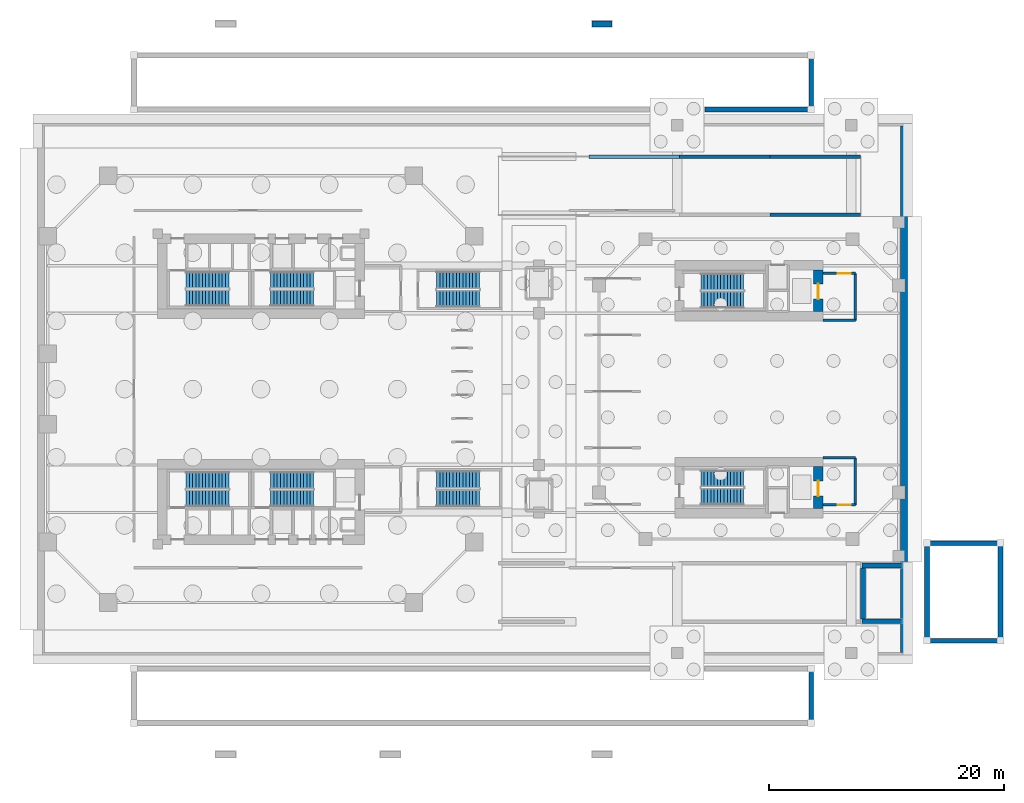
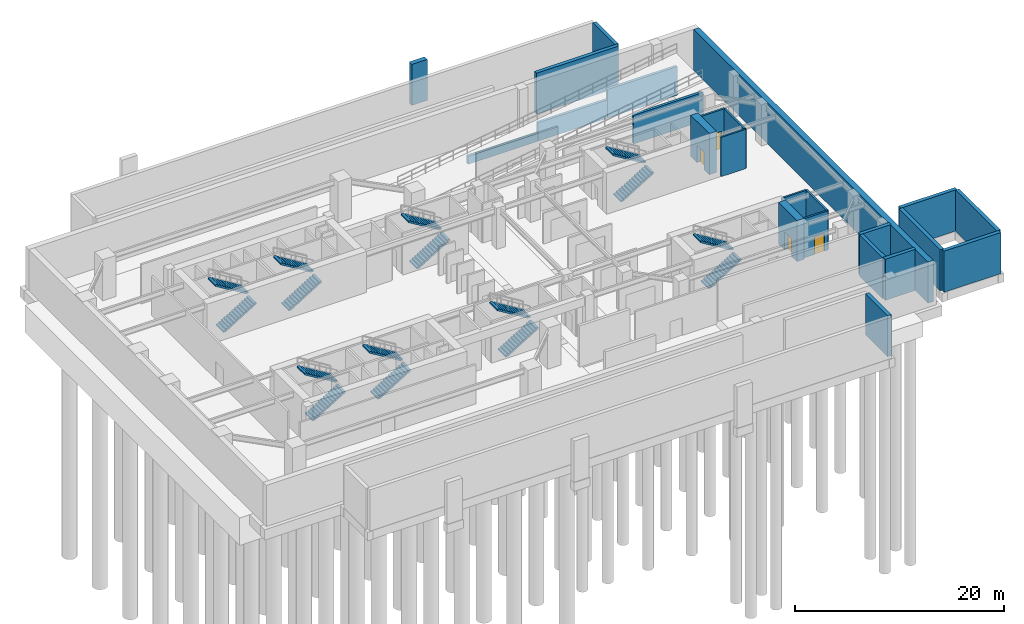
# One storey, part 8 of 13: 24 walls, 16 stair flights, 4 doors, 4 openings, 8 elements without a shape of their own.
"""IFC4 building model written with IfcOpenShell, lengths in metres."""

from ifc_helpers import new_model, si_unit, direction, frame, frame_2d, origin, place, context, subcontext, project, spatial, polyline, rectangle, outline, extrude, source, transform, mapped, material, layer, layer_set, type_object, element, fill, aggregate, save


model = new_model("IFC4")

# Units and contexts
model_context = context("Model", 3, precision=1e-05, world=origin(), true_north=direction((0.0, 1.0)))
body_context = subcontext(model_context, "Body", "Model", "MODEL_VIEW")
ifc_project = project(units=[si_unit("LENGTHUNIT", "METRE"), si_unit("AREAUNIT", "SQUARE_METRE"), si_unit("VOLUMEUNIT", "CUBIC_METRE"), si_unit("PLANEANGLEUNIT", "RADIAN"), si_unit("MASSUNIT", "GRAM", prefix="KILO"), si_unit("THERMODYNAMICTEMPERATUREUNIT", "KELVIN"), si_unit("POWERUNIT", "WATT")], contexts=[model_context])

# Site, building, storey
site_placement = place(None, origin())
site = spatial("IfcSite", under=ifc_project, at=site_placement, CompositionType="ELEMENT")
building_placement = place(site_placement, origin())
building = spatial("IfcBuilding", under=site, at=building_placement, Name="Qiaomeng Ring Towers", CompositionType="ELEMENT")
storey_placement = place(building_placement, frame((0.0, 0.0, -9.60009765625)))
storey = spatial("IfcBuildingStorey", under=building, at=storey_placement, Name="B2", CompositionType="ELEMENT", Elevation=-9.60009765625)

# Walls
ifc_material_1 = material(Name="Autoclaved aerated concrete block", Category="concrete")
ifc_layer_1 = layer(ifc_material_1, 0.199951171875, Name="Autoclaved aerated concrete block")
ifc_layer_set_1 = layer_set([ifc_layer_1], Name="Autoclaved aerated concrete block")
wall_type_1 = type_object("IfcWallType", Name="ARC-WL-PW1", PredefinedType="PARTITIONING", material=ifc_layer_set_1)
wall_1_placement = place(storey_placement, frame((66.800048828125, 28.85009765625, 0.0), z_axis=(0.0, 0.0, 1.0), x_axis=(1.0, 0.0, 0.0)))
element("IfcWall", 1, at=wall_1_placement, inside=storey, type_object=wall_type_1, Name="B2 Interior Wall PW1", PredefinedType="PARTITIONING", context=body_context, shape_type="SweptSolid", body=[
    extrude(rectangle(XDim=2.75, YDim=0.199951171875, at=frame_2d((1.375, 0.0))), origin(), (0.0, 0.0, 1.0), 4.580078125),
])
wall_2_placement = place(storey_placement, frame((69.550048828125, 28.85009765625, 0.0), z_axis=(0.0, 0.0, 1.0), x_axis=(0.0, 1.0, 0.0)))
element("IfcWall", 2, at=wall_2_placement, inside=storey, type_object=wall_type_1, Name="B2 Interior Wall PW1", PredefinedType="PARTITIONING", context=body_context, shape_type="SweptSolid", body=[
    extrude(rectangle(XDim=4.0, YDim=0.199951171875, at=frame_2d((2.0, 0.0))), origin(), (0.0, 0.0, 1.0), 4.580078125),
])

# Wall, opening, door
wall_3_placement = place(storey_placement, frame((66.800048828125, 32.85009765625, 0.0), z_axis=(0.0, 0.0, 1.0), x_axis=(1.0, 0.0, 0.0)))
wall_3 = element("IfcWall", 3, at=wall_3_placement, inside=storey, type_object=wall_type_1, Name="B2 Interior Wall PW1", PredefinedType="PARTITIONING", context=body_context, shape_type="SweptSolid", body=[
    extrude(rectangle(XDim=2.75, YDim=0.199951171875, at=frame_2d((1.375, 0.0))), origin(), (0.0, 0.0, 1.0), 4.580078125),
])
opening_1_placement = place(wall_3_placement, frame((1.25, 0.0, 0.0)))
opening_1 = element("IfcOpeningElement", 4, at=opening_1_placement, cuts=wall_3, Name="Opening FD3", PredefinedType="OPENING", context=body_context, shape_type="SweptSolid", body=[
    extrude(rectangle(XDim=1.10009765625, YDim=2.050048828125, at=frame_2d((0.550048828125, 1.02490234375))), frame((0.0, 0.10986328125, 0.0), z_axis=(0.0, -1.0, 0.0), x_axis=(1.0, 0.0, 0.0)), (0.0, 0.0, 1.0), 0.219970703125),
])
ifc_material_2 = material(Name="Galvanised steel", Category="steel")
door_type_1 = type_object("IfcDoorType", Name="ARC-DR-FD3", OperationType="NOTDEFINED", PredefinedType="DOOR", material=ifc_material_2)
shared_shape_1 = source(origin(), body_context, "Body", "SweptSolid", [
    extrude(rectangle(XDim=1.10009765625, YDim=2.050048828125, at=frame_2d((0.550048828125, 1.02490234375))), frame((0.0, 0.02490234375, 0.0), z_axis=(0.0, -1.0, 0.0), x_axis=(1.0, 0.0, 0.0)), (0.0, 0.0, 1.0), 0.050048828125),
])
door_1_placement = place(opening_1_placement, origin())
door_1 = element("IfcDoor", 5, at=door_1_placement, inside=storey, type_object=door_type_1, Name="B2 Door FD3", OperationType="SINGLE_SWING_RIGHT", OverallHeight=2.050048828125, OverallWidth=1.10009765625, PredefinedType="DOOR", context=body_context, shape_type="MappedRepresentation", body=[
    mapped(shared_shape_1, transform((0.0, 0.0, 0.0), x_axis=(1.0, 0.0, 0.0), y_axis=(0.0, 1.0, 0.0), z_axis=(0.0, 0.0, 1.0), scale=1.0)),
])
fill(opening_1, door_1)

# Walls
wall_4_placement = place(storey_placement, frame((66.800048828125, 17.14990234375, 0.0), z_axis=(0.0, 0.0, 1.0), x_axis=(1.0, 0.0, 0.0)))
element("IfcWall", 6, at=wall_4_placement, inside=storey, type_object=wall_type_1, Name="B2 Interior Wall PW1", PredefinedType="PARTITIONING", context=body_context, shape_type="SweptSolid", body=[
    extrude(rectangle(XDim=2.75, YDim=0.199951171875, at=frame_2d((1.375, 0.0))), origin(), (0.0, 0.0, 1.0), 4.580078125),
])
wall_5_placement = place(storey_placement, frame((69.550048828125, 13.14990234375, 0.0), z_axis=(0.0, 0.0, 1.0), x_axis=(0.0, 1.0, 0.0)))
element("IfcWall", 7, at=wall_5_placement, inside=storey, type_object=wall_type_1, Name="B2 Interior Wall PW1", PredefinedType="PARTITIONING", context=body_context, shape_type="SweptSolid", body=[
    extrude(rectangle(XDim=4.0, YDim=0.199951171875, at=frame_2d((2.0, 0.0))), origin(), (0.0, 0.0, 1.0), 4.580078125),
])

# Wall, opening, door
wall_6_placement = place(storey_placement, frame((66.800048828125, 13.14990234375, 0.0), z_axis=(0.0, 0.0, 1.0), x_axis=(1.0, 0.0, 0.0)))
wall_6 = element("IfcWall", 8, at=wall_6_placement, inside=storey, type_object=wall_type_1, Name="B2 Interior Wall PW1", PredefinedType="PARTITIONING", context=body_context, shape_type="SweptSolid", body=[
    extrude(rectangle(XDim=2.75, YDim=0.199951171875, at=frame_2d((1.375, 0.0))), origin(), (0.0, 0.0, 1.0), 4.580078125),
])
opening_2_placement = place(wall_6_placement, frame((1.25, 0.0, 0.0)))
opening_2 = element("IfcOpeningElement", 9, at=opening_2_placement, cuts=wall_6, Name="Opening FD3", PredefinedType="OPENING", context=body_context, shape_type="SweptSolid", body=[
    extrude(rectangle(XDim=1.10009765625, YDim=2.050048828125, at=frame_2d((0.550048828125, 1.02490234375))), frame((0.0, 0.10986328125, 0.0), z_axis=(0.0, -1.0, 0.0), x_axis=(1.0, 0.0, 0.0)), (0.0, 0.0, 1.0), 0.219970703125),
])
door_2_placement = place(opening_2_placement, origin())
door_2 = element("IfcDoor", 10, at=door_2_placement, inside=storey, type_object=door_type_1, Name="B2 Door FD3", OperationType="SINGLE_SWING_RIGHT", OverallHeight=2.050048828125, OverallWidth=1.10009765625, PredefinedType="DOOR", context=body_context, shape_type="MappedRepresentation", body=[
    mapped(shared_shape_1, transform((0.0, 0.0, 0.0), x_axis=(1.0, 0.0, 0.0), y_axis=(0.0, 1.0, 0.0), z_axis=(0.0, 0.0, 1.0), scale=1.0)),
])
fill(opening_2, door_2)

# Walls
ifc_material_3 = material(Name="Concrete C40", Category="concrete")
ifc_layer_2 = layer(ifc_material_3, 0.60009765625, Name="Concrete C40")
ifc_layer_set_2 = layer_set([ifc_layer_2], Name="Concrete C40")
wall_type_2 = type_object("IfcWallType", Name="STR-WL-BW1", PredefinedType="SOLIDWALL", material=ifc_layer_set_2)
wall_7_placement = place(storey_placement, frame((73.699951171875, 0.60009765625, 0.0), z_axis=(0.0, 0.0, 1.0), x_axis=(0.0, 1.0, 0.0)))
element("IfcWall", 11, at=wall_7_placement, inside=storey, type_object=wall_type_2, Name="B2 RET east core shear wall", PredefinedType="SOLIDWALL", context=body_context, shape_type="SweptSolid", body=[
    extrude(rectangle(XDim=44.7998046875, YDim=0.60009765625, at=frame_2d((22.39990234375, 0.0))), origin(), (0.0, 0.0, 1.0), 4.800048828125),
])
ifc_layer_3 = layer(ifc_material_3, 0.39990234375, Name="Concrete C40")
ifc_layer_set_3 = layer_set([ifc_layer_3], Name="Concrete C40")
wall_type_3 = type_object("IfcWallType", Name="STR-WL-BW2", PredefinedType="SOLIDWALL", material=ifc_layer_set_3)
wall_8_placement = place(storey_placement, frame((65.800048828125, -5.199951171875, 0.0), z_axis=(0.0, 0.0, 1.0), x_axis=(0.0, 1.0, 0.0)))
element("IfcWall", 12, at=wall_8_placement, inside=storey, type_object=wall_type_3, Name="B2 Apron Retaining Plinth Wall PLZ-S-E", PredefinedType="SOLIDWALL", context=body_context, shape_type="SweptSolid", body=[
    extrude(rectangle(XDim=4.219970703125, YDim=0.39990234375, at=frame_2d((2.10986328125, 0.0))), origin(), (0.0, 0.0, 1.0), 4.800048828125),
])
wall_9_placement = place(storey_placement, frame((56.75, 46.780029296875, 0.0), z_axis=(0.0, 0.0, 1.0), x_axis=(1.0, 0.0, 0.0)))
element("IfcWall", 13, at=wall_9_placement, inside=storey, type_object=wall_type_3, Name="B2 Apron Retaining Plinth Wall PLZ-N-S2", PredefinedType="SOLIDWALL", context=body_context, shape_type="SweptSolid", body=[
    extrude(rectangle(XDim=9.050048828125, YDim=0.39990234375, at=frame_2d((4.52490234375, 0.0))), origin(), (0.0, 0.0, 1.0), 4.800048828125),
])
wall_10_placement = place(storey_placement, frame((65.800048828125, 46.97998046875, 0.0), z_axis=(0.0, 0.0, 1.0), x_axis=(0.0, 1.0, 0.0)))
element("IfcWall", 14, at=wall_10_placement, inside=storey, type_object=wall_type_3, Name="B2 Apron Retaining Plinth Wall PLZ-N-E", PredefinedType="SOLIDWALL", context=body_context, shape_type="SweptSolid", body=[
    extrude(rectangle(XDim=4.219970703125, YDim=0.39990234375, at=frame_2d((2.10986328125, 0.0))), origin(), (0.0, 0.0, 1.0), 4.800048828125),
])
for number, where, z_axis, x_axis, name in (
    (15, (75.64990234375, 1.60009765625, 0.0), (0.0, 0.0, 1.0), (1.0, 0.0, 0.0), "B2 Apron Retaining Plinth Wall DRV-E-S"),
    (16, (75.64990234375, 9.89990234375, 0.0), (0.0, 0.0, 1.0), (1.0, 0.0, 0.0), "B2 Apron Retaining Plinth Wall DRV-E-N"),
):
    element("IfcWall", number, at=place(storey_placement, frame(where, z_axis=z_axis, x_axis=x_axis)), inside=storey, type_object=wall_type_3, Name=name, PredefinedType="SOLIDWALL", context=body_context, shape_type="SweptSolid", body=[
        extrude(rectangle(XDim=6.25, YDim=0.39990234375, at=frame_2d((3.125, 0.0))), origin(), (0.0, 0.0, 1.0), 4.800048828125),
    ])
for number, where, z_axis, x_axis, name in (
    (17, (75.64990234375, 1.800048828125, 0.0), (0.0, 0.0, 1.0), (0.0, 1.0, 0.0), "B2 Apron Retaining Plinth Wall DRV-E-W"),
    (18, (81.89990234375, 1.800048828125, 0.0), (0.0, 0.0, 1.0), (0.0, 1.0, 0.0), "B2 Apron Retaining Plinth Wall DRV-E-E"),
):
    element("IfcWall", number, at=place(storey_placement, frame(where, z_axis=z_axis, x_axis=x_axis)), inside=storey, type_object=wall_type_3, Name=name, PredefinedType="SOLIDWALL", context=body_context, shape_type="SweptSolid", body=[
        extrude(rectangle(XDim=7.89990234375, YDim=0.39990234375, at=frame_2d((3.949951171875, 0.0))), origin(), (0.0, 0.0, 1.0), 4.800048828125),
    ])
for number, where, z_axis, x_axis, name in (
    (19, (70.10009765625, 3.25, 0.0), (0.0, 0.0, 1.0), (1.0, 0.0, 0.0), "B2 Ramp R1 Landing Support Wall S"),
    (20, (70.10009765625, 8.0, 0.0), (0.0, 0.0, 1.0), (1.0, 0.0, 0.0), "B2 Ramp R1 Landing Support Wall N"),
):
    element("IfcWall", number, at=place(storey_placement, frame(where, z_axis=z_axis, x_axis=x_axis)), inside=storey, type_object=wall_type_3, Name=name, PredefinedType="SOLIDWALL", context=body_context, shape_type="SweptSolid", body=[
        extrude(rectangle(XDim=3.39990234375, YDim=0.39990234375, at=frame_2d((1.699951171875, 0.0))), origin(), (0.0, 0.0, 1.0), 4.800048828125),
    ])
wall_11_placement = place(storey_placement, frame((70.199951171875, 3.449951171875, 0.0), z_axis=(0.0, 0.0, 1.0), x_axis=(0.0, 1.0, 0.0)))
element("IfcWall", 21, at=wall_11_placement, inside=storey, type_object=wall_type_3, Name="B2 Ramp R1 Landing Support Wall W", PredefinedType="SOLIDWALL", context=body_context, shape_type="SweptSolid", body=[
    extrude(rectangle(XDim=4.35009765625, YDim=0.39990234375, at=frame_2d((2.175048828125, 0.0))), origin(), (0.0, 0.0, 1.0), 4.800048828125),
])
wall_12_placement = place(storey_placement, frame((62.300048828125, 37.820068359375, 0.0), z_axis=(0.0, 0.0, 1.0), x_axis=(1.0, 0.0, 0.0)))
element("IfcWall", 22, at=wall_12_placement, inside=storey, type_object=wall_type_3, Name="B2 Vehicle Ramp R2 Stepped Support Wall S4", PredefinedType="SOLIDWALL", context=body_context, shape_type="SweptSolid", body=[
    extrude(rectangle(XDim=7.699951171875, YDim=0.300048828125, at=frame_2d((3.85009765625, 0.0))), origin(), (0.0, 0.0, 1.0), 3.340087890625),
])
wall_13_placement = place(storey_placement, frame((46.89990234375, 42.780029296875, 0.0), z_axis=(0.0, 0.0, 1.0), x_axis=(1.0, 0.0, 0.0)))
element("IfcWall", 23, at=wall_13_placement, inside=storey, type_object=wall_type_3, Name="B2 Vehicle Ramp R2 Stepped Support Wall N2", PredefinedType="SOLIDWALL", context=body_context, shape_type="SweptSolid", body=[
    extrude(rectangle(XDim=7.7001953125, YDim=0.300048828125, at=frame_2d((3.85009765625, 0.0))), origin(), (0.0, 0.0, 1.0), 0.940185546875),
])
wall_14_placement = place(storey_placement, frame((54.60009765625, 42.780029296875, 0.0), z_axis=(0.0, 0.0, 1.0), x_axis=(1.0, 0.0, 0.0)))
element("IfcWall", 24, at=wall_14_placement, inside=storey, type_object=wall_type_3, Name="B2 Vehicle Ramp R2 Stepped Support Wall N3", PredefinedType="SOLIDWALL", context=body_context, shape_type="SweptSolid", body=[
    extrude(rectangle(XDim=7.699951171875, YDim=0.300048828125, at=frame_2d((3.85009765625, 0.0))), origin(), (0.0, 0.0, 1.0), 2.14013671875),
])
wall_15_placement = place(storey_placement, frame((62.300048828125, 42.780029296875, 0.0), z_axis=(0.0, 0.0, 1.0), x_axis=(1.0, 0.0, 0.0)))
element("IfcWall", 25, at=wall_15_placement, inside=storey, type_object=wall_type_3, Name="B2 Vehicle Ramp R2 Stepped Support Wall N4", PredefinedType="SOLIDWALL", context=body_context, shape_type="SweptSolid", body=[
    extrude(rectangle(XDim=7.699951171875, YDim=0.300048828125, at=frame_2d((3.85009765625, 0.0))), origin(), (0.0, 0.0, 1.0), 3.340087890625),
])
wall_16_placement = place(storey_placement, frame((47.14990234375, 54.072998046875, 0.0), z_axis=(0.0, 0.0, 1.0), x_axis=(1.0, 0.0, 0.0)))
element("IfcWall", 26, at=wall_16_placement, inside=storey, type_object=wall_type_3, Name="B2 AR4 Kerb Plinth", PredefinedType="SOLIDWALL", context=body_context, shape_type="SweptSolid", body=[
    extrude(rectangle(XDim=1.7001953125, YDim=0.5, at=frame_2d((0.85009765625, 0.0))), origin(), (0.0, 0.0, 1.0), 4.800048828125),
])

# Wall, opening, door
ifc_material_4 = material(Name="Concrete C60", Category="concrete")
ifc_layer_4 = layer(ifc_material_4, 0.800048828125, Name="Concrete C60")
ifc_layer_set_4 = layer_set([ifc_layer_4], Name="Concrete C60")
wall_type_4 = type_object("IfcWallType", Name="STR-WL-SW1", PredefinedType="SHEAR", material=ifc_layer_set_4)
wall_17_placement = place(storey_placement, frame((66.39990234375, 29.60009765625, 0.0), z_axis=(0.0, 0.0, 1.0), x_axis=(0.0, 1.0, 0.0)))
wall_17 = element("IfcWall", 27, at=wall_17_placement, inside=storey, type_object=wall_type_4, Name="B2 T2NC east core shear wall", PredefinedType="SHEAR", context=body_context, shape_type="SweptSolid", body=[
    extrude(rectangle(XDim=3.5498046875, YDim=0.800048828125, at=frame_2d((1.77490234375, 0.0))), origin(), (0.0, 0.0, 1.0), 4.800048828125),
])
opening_3_placement = place(wall_17_placement, frame((1.050048828125, 0.0, 0.0)))
opening_3 = element("IfcOpeningElement", 28, at=opening_3_placement, cuts=wall_17, Name="Opening LD2", PredefinedType="OPENING", context=body_context, shape_type="SweptSolid", body=[
    extrude(rectangle(XDim=1.300048828125, YDim=2.050048828125, at=frame_2d((0.64990234375, 1.02490234375))), frame((0.0, 0.409912109375, 0.0), z_axis=(0.0, -1.0, 0.0), x_axis=(1.0, 0.0, 0.0)), (0.0, 0.0, 1.0), 0.820068359375),
])
ifc_material_5 = material(Name="Stainless steel 316", Category="steel")
door_type_2 = type_object("IfcDoorType", Name="ARC-DR-LD2", OperationType="NOTDEFINED", PredefinedType="DOOR", material=ifc_material_5)
shared_shape_2 = source(origin(), body_context, "Body", "SweptSolid", [
    extrude(rectangle(XDim=1.300048828125, YDim=2.050048828125, at=frame_2d((0.64990234375, 1.02490234375))), frame((0.0, 0.02490234375, 0.0), z_axis=(0.0, -1.0, 0.0), x_axis=(1.0, 0.0, 0.0)), (0.0, 0.0, 1.0), 0.050048828125),
])
door_3_placement = place(opening_3_placement, origin())
door_3 = element("IfcDoor", 29, at=door_3_placement, inside=storey, type_object=door_type_2, Name="B2 Firefighting Lift FL3 Landing Door", OperationType="SLIDING_TO_LEFT", OverallHeight=2.050048828125, OverallWidth=1.300048828125, PredefinedType="DOOR", context=body_context, shape_type="MappedRepresentation", body=[
    mapped(shared_shape_2, transform((0.0, 0.0, 0.0), x_axis=(1.0, 0.0, 0.0), y_axis=(0.0, 1.0, 0.0), z_axis=(0.0, 0.0, 1.0), scale=1.0)),
])
fill(opening_3, door_3)

wall_18_placement = place(storey_placement, frame((66.39990234375, 12.85009765625, 0.0), z_axis=(0.0, 0.0, 1.0), x_axis=(0.0, 1.0, 0.0)))
wall_18 = element("IfcWall", 30, at=wall_18_placement, inside=storey, type_object=wall_type_4, Name="B2 T2SC east core shear wall", PredefinedType="SHEAR", context=body_context, shape_type="SweptSolid", body=[
    extrude(rectangle(XDim=3.5498046875, YDim=0.800048828125, at=frame_2d((1.77490234375, 0.0))), origin(), (0.0, 0.0, 1.0), 4.800048828125),
])
opening_4_placement = place(wall_18_placement, frame((1.050048828125, 0.0, 0.0)))
opening_4 = element("IfcOpeningElement", 31, at=opening_4_placement, cuts=wall_18, Name="Opening LD2", PredefinedType="OPENING", context=body_context, shape_type="SweptSolid", body=[
    extrude(rectangle(XDim=1.300048828125, YDim=2.050048828125, at=frame_2d((0.64990234375, 1.02490234375))), frame((0.0, 0.409912109375, 0.0), z_axis=(0.0, -1.0, 0.0), x_axis=(1.0, 0.0, 0.0)), (0.0, 0.0, 1.0), 0.820068359375),
])
door_4_placement = place(opening_4_placement, origin())
door_4 = element("IfcDoor", 32, at=door_4_placement, inside=storey, type_object=door_type_2, Name="B2 Firefighting Lift FL4 Landing Door", OperationType="SLIDING_TO_RIGHT", OverallHeight=2.050048828125, OverallWidth=1.300048828125, PredefinedType="DOOR", context=body_context, shape_type="MappedRepresentation", body=[
    mapped(shared_shape_2, transform((0.0, 0.0, 0.0), x_axis=(1.0, 0.0, 0.0), y_axis=(0.0, 1.0, 0.0), z_axis=(0.0, 0.0, 1.0), scale=1.0)),
])
fill(opening_4, door_4)

# Stair, stair flights
ifc_material_6 = material(Name="Precast concrete C40", Category="concrete")
stair_type_1 = type_object("IfcStairType", Name="ARC-ST-480", PredefinedType="HALF_TURN_STAIR", material=ifc_material_6)
stair_1_placement = place(storey_placement, origin())
stair_1 = element("IfcStair", 33, at=stair_1_placement, inside=storey, type_object=stair_type_1, Name="B2 Tower 1 North Stair 1", PredefinedType="HALF_TURN_STAIR")
stair_flight_type_1 = type_object("IfcStairFlightType", Name="ARC-ST-480-FL", PredefinedType="STRAIGHT", material=ifc_material_6)
shared_shape_3 = source(origin(), body_context, "Body", "SweptSolid", [
    extrude(outline(polyline([(0.0, 0.0), (0.0, 0.17138671875), (0.280029296875, 0.17138671875), (0.280029296875, 0.3427734375), (0.56005859375, 0.3427734375), (0.56005859375, 0.514404296875), (0.840087890625, 0.514404296875), (0.840087890625, 0.685791015625), (1.1201171875, 0.685791015625), (1.1201171875, 0.857177734375), (1.39990234375, 0.857177734375), (1.39990234375, 1.028564453125), (1.679931640625, 1.028564453125), (1.679931640625, 1.199951171875), (1.9599609375, 1.199951171875), (1.9599609375, 1.371337890625), (2.239990234375, 1.371337890625), (2.239990234375, 1.54296875), (2.52001953125, 1.54296875), (2.52001953125, 1.71435546875), (2.800048828125, 1.71435546875), (2.800048828125, 1.8857421875), (3.080078125, 1.8857421875), (3.080078125, 2.05712890625), (3.360107421875, 2.05712890625), (3.360107421875, 2.228515625), (3.639892578125, 2.228515625), (3.639892578125, 2.39990234375), (3.639892578125, 2.052734375), (0.287109375, 0.0), (0.0, 0.0)])), frame((0.0, 0.699951171875, 0.0), z_axis=(0.0, -1.0, 0.0), x_axis=(1.0, 0.0, 0.0)), (0.0, 0.0, 1.0), 1.39990234375),
])
stair_flight_1_placement = place(storey_placement, frame((12.6201171875, 30.75, 0.0), z_axis=(0.0, 0.0, 1.0), x_axis=(1.0, 0.0, 0.0)))
stair_flight_1 = element("IfcStairFlight", 34, at=stair_flight_1_placement, type_object=stair_flight_type_1, Name="ST1 flight 1", NumberOfRisers=14, NumberOfTreads=13, PredefinedType="STRAIGHT", RiserHeight=0.171428571, TreadLength=0.28, context=body_context, shape_type="MappedRepresentation", body=[
    mapped(shared_shape_3, transform((0.0, 0.0, 0.0), x_axis=(1.0, 0.0, 0.0), y_axis=(0.0, 1.0, 0.0), z_axis=(0.0, 0.0, 1.0), scale=1.0)),
])
stair_flight_2_placement = place(storey_placement, frame((16.260009765625, 32.2900390625, 2.400146484375), z_axis=(0.0, 0.0, 1.0), x_axis=(-1.0, 0.0, 0.0)))
stair_flight_2 = element("IfcStairFlight", 35, at=stair_flight_2_placement, type_object=stair_flight_type_1, Name="ST1 flight 2", NumberOfRisers=14, NumberOfTreads=13, PredefinedType="STRAIGHT", RiserHeight=0.171428571, TreadLength=0.28, context=body_context, shape_type="MappedRepresentation", body=[
    mapped(shared_shape_3, transform((0.0, 0.0, 0.0), x_axis=(1.0, 0.0, 0.0), y_axis=(0.0, 1.0, 0.0), z_axis=(0.0, 0.0, 1.0), scale=1.0)),
])
aggregate(stair_1, [stair_flight_1, stair_flight_2])

stair_2_placement = place(storey_placement, origin())
stair_2 = element("IfcStair", 36, at=stair_2_placement, inside=storey, type_object=stair_type_1, Name="B2 Tower 1 North Stair 2", PredefinedType="HALF_TURN_STAIR")
stair_flight_3_placement = place(storey_placement, frame((19.820068359375, 30.75, 0.0), z_axis=(0.0, 0.0, 1.0), x_axis=(1.0, 0.0, 0.0)))
stair_flight_3 = element("IfcStairFlight", 37, at=stair_flight_3_placement, type_object=stair_flight_type_1, Name="ST2 flight 1", NumberOfRisers=14, NumberOfTreads=13, PredefinedType="STRAIGHT", RiserHeight=0.171428571, TreadLength=0.28, context=body_context, shape_type="MappedRepresentation", body=[
    mapped(shared_shape_3, transform((0.0, 0.0, 0.0), x_axis=(1.0, 0.0, 0.0), y_axis=(0.0, 1.0, 0.0), z_axis=(0.0, 0.0, 1.0), scale=1.0)),
])
stair_flight_4_placement = place(storey_placement, frame((23.4599609375, 32.2900390625, 2.400146484375), z_axis=(0.0, 0.0, 1.0), x_axis=(-1.0, 0.0, 0.0)))
stair_flight_4 = element("IfcStairFlight", 38, at=stair_flight_4_placement, type_object=stair_flight_type_1, Name="ST2 flight 2", NumberOfRisers=14, NumberOfTreads=13, PredefinedType="STRAIGHT", RiserHeight=0.171428571, TreadLength=0.28, context=body_context, shape_type="MappedRepresentation", body=[
    mapped(shared_shape_3, transform((0.0, 0.0, 0.0), x_axis=(1.0, 0.0, 0.0), y_axis=(0.0, 1.0, 0.0), z_axis=(0.0, 0.0, 1.0), scale=1.0)),
])
aggregate(stair_2, [stair_flight_3, stair_flight_4])

stair_3_placement = place(storey_placement, origin())
stair_3 = element("IfcStair", 39, at=stair_3_placement, inside=storey, type_object=stair_type_1, Name="B2 Tower 1 South Stair 3", PredefinedType="HALF_TURN_STAIR")
stair_flight_5_placement = place(storey_placement, frame((12.6201171875, 13.7099609375, 0.0), z_axis=(0.0, 0.0, 1.0), x_axis=(1.0, 0.0, 0.0)))
stair_flight_5 = element("IfcStairFlight", 40, at=stair_flight_5_placement, type_object=stair_flight_type_1, Name="ST3 flight 1", NumberOfRisers=14, NumberOfTreads=13, PredefinedType="STRAIGHT", RiserHeight=0.171428571, TreadLength=0.28, context=body_context, shape_type="MappedRepresentation", body=[
    mapped(shared_shape_3, transform((0.0, 0.0, 0.0), x_axis=(1.0, 0.0, 0.0), y_axis=(0.0, 1.0, 0.0), z_axis=(0.0, 0.0, 1.0), scale=1.0)),
])
stair_flight_6_placement = place(storey_placement, frame((16.260009765625, 15.25, 2.400146484375), z_axis=(0.0, 0.0, 1.0), x_axis=(-1.0, 0.0, 0.0)))
stair_flight_6 = element("IfcStairFlight", 41, at=stair_flight_6_placement, type_object=stair_flight_type_1, Name="ST3 flight 2", NumberOfRisers=14, NumberOfTreads=13, PredefinedType="STRAIGHT", RiserHeight=0.171428571, TreadLength=0.28, context=body_context, shape_type="MappedRepresentation", body=[
    mapped(shared_shape_3, transform((0.0, 0.0, 0.0), x_axis=(1.0, 0.0, 0.0), y_axis=(0.0, 1.0, 0.0), z_axis=(0.0, 0.0, 1.0), scale=1.0)),
])
aggregate(stair_3, [stair_flight_5, stair_flight_6])

stair_4_placement = place(storey_placement, origin())
stair_4 = element("IfcStair", 42, at=stair_4_placement, inside=storey, type_object=stair_type_1, Name="B2 Tower 1 South Stair 4", PredefinedType="HALF_TURN_STAIR")
stair_flight_7_placement = place(storey_placement, frame((19.820068359375, 13.7099609375, 0.0), z_axis=(0.0, 0.0, 1.0), x_axis=(1.0, 0.0, 0.0)))
stair_flight_7 = element("IfcStairFlight", 43, at=stair_flight_7_placement, type_object=stair_flight_type_1, Name="ST4 flight 1", NumberOfRisers=14, NumberOfTreads=13, PredefinedType="STRAIGHT", RiserHeight=0.171428571, TreadLength=0.28, context=body_context, shape_type="MappedRepresentation", body=[
    mapped(shared_shape_3, transform((0.0, 0.0, 0.0), x_axis=(1.0, 0.0, 0.0), y_axis=(0.0, 1.0, 0.0), z_axis=(0.0, 0.0, 1.0), scale=1.0)),
])
stair_flight_8_placement = place(storey_placement, frame((23.4599609375, 15.25, 2.400146484375), z_axis=(0.0, 0.0, 1.0), x_axis=(-1.0, 0.0, 0.0)))
stair_flight_8 = element("IfcStairFlight", 44, at=stair_flight_8_placement, type_object=stair_flight_type_1, Name="ST4 flight 2", NumberOfRisers=14, NumberOfTreads=13, PredefinedType="STRAIGHT", RiserHeight=0.171428571, TreadLength=0.28, context=body_context, shape_type="MappedRepresentation", body=[
    mapped(shared_shape_3, transform((0.0, 0.0, 0.0), x_axis=(1.0, 0.0, 0.0), y_axis=(0.0, 1.0, 0.0), z_axis=(0.0, 0.0, 1.0), scale=1.0)),
])
aggregate(stair_4, [stair_flight_7, stair_flight_8])

stair_5_placement = place(storey_placement, origin())
stair_5 = element("IfcStair", 45, at=stair_5_placement, inside=storey, type_object=stair_type_1, Name="B2 Companion North Stair 5", PredefinedType="HALF_TURN_STAIR")
stair_flight_9_placement = place(storey_placement, frame((56.419921875, 30.60009765625, 0.0), z_axis=(0.0, 0.0, 1.0), x_axis=(1.0, 0.0, 0.0)))
stair_flight_9 = element("IfcStairFlight", 46, at=stair_flight_9_placement, type_object=stair_flight_type_1, Name="ST5 flight 1", NumberOfRisers=14, NumberOfTreads=13, PredefinedType="STRAIGHT", RiserHeight=0.171428571, TreadLength=0.28, context=body_context, shape_type="MappedRepresentation", body=[
    mapped(shared_shape_3, transform((0.0, 0.0, 0.0), x_axis=(1.0, 0.0, 0.0), y_axis=(0.0, 1.0, 0.0), z_axis=(0.0, 0.0, 1.0), scale=1.0)),
])
stair_flight_10_placement = place(storey_placement, frame((60.06005859375, 32.139892578125, 2.400146484375), z_axis=(0.0, 0.0, 1.0), x_axis=(-1.0, 0.0, 0.0)))
stair_flight_10 = element("IfcStairFlight", 47, at=stair_flight_10_placement, type_object=stair_flight_type_1, Name="ST5 flight 2", NumberOfRisers=14, NumberOfTreads=13, PredefinedType="STRAIGHT", RiserHeight=0.171428571, TreadLength=0.28, context=body_context, shape_type="MappedRepresentation", body=[
    mapped(shared_shape_3, transform((0.0, 0.0, 0.0), x_axis=(1.0, 0.0, 0.0), y_axis=(0.0, 1.0, 0.0), z_axis=(0.0, 0.0, 1.0), scale=1.0)),
])
aggregate(stair_5, [stair_flight_9, stair_flight_10])

stair_6_placement = place(storey_placement, origin())
stair_6 = element("IfcStair", 48, at=stair_6_placement, inside=storey, type_object=stair_type_1, Name="B2 Companion South Stair 6", PredefinedType="HALF_TURN_STAIR")
stair_flight_11_placement = place(storey_placement, frame((56.419921875, 13.860107421875, 0.0), z_axis=(0.0, 0.0, 1.0), x_axis=(1.0, 0.0, 0.0)))
stair_flight_11 = element("IfcStairFlight", 49, at=stair_flight_11_placement, type_object=stair_flight_type_1, Name="ST6 flight 1", NumberOfRisers=14, NumberOfTreads=13, PredefinedType="STRAIGHT", RiserHeight=0.171428571, TreadLength=0.28, context=body_context, shape_type="MappedRepresentation", body=[
    mapped(shared_shape_3, transform((0.0, 0.0, 0.0), x_axis=(1.0, 0.0, 0.0), y_axis=(0.0, 1.0, 0.0), z_axis=(0.0, 0.0, 1.0), scale=1.0)),
])
stair_flight_12_placement = place(storey_placement, frame((60.06005859375, 15.39990234375, 2.400146484375), z_axis=(0.0, 0.0, 1.0), x_axis=(-1.0, 0.0, 0.0)))
stair_flight_12 = element("IfcStairFlight", 50, at=stair_flight_12_placement, type_object=stair_flight_type_1, Name="ST6 flight 2", NumberOfRisers=14, NumberOfTreads=13, PredefinedType="STRAIGHT", RiserHeight=0.171428571, TreadLength=0.28, context=body_context, shape_type="MappedRepresentation", body=[
    mapped(shared_shape_3, transform((0.0, 0.0, 0.0), x_axis=(1.0, 0.0, 0.0), y_axis=(0.0, 1.0, 0.0), z_axis=(0.0, 0.0, 1.0), scale=1.0)),
])
aggregate(stair_6, [stair_flight_11, stair_flight_12])

stair_type_2 = type_object("IfcStairType", Name="ARC-ST-POD", PredefinedType="HALF_TURN_STAIR", material=ifc_material_6)
stair_7_placement = place(storey_placement, origin())
stair_7 = element("IfcStair", 51, at=stair_7_placement, inside=storey, type_object=stair_type_2, Name="B2 Podium Clinic North Stair 7", PredefinedType="HALF_TURN_STAIR")
stair_flight_type_2 = type_object("IfcStairFlightType", Name="ARC-ST-POD-FL", PredefinedType="STRAIGHT", material=ifc_material_6)
shared_shape_4 = source(origin(), body_context, "Body", "SweptSolid", [
    extrude(outline(polyline([(0.0, 0.0), (0.0, 0.17138671875), (0.280029296875, 0.17138671875), (0.280029296875, 0.3427734375), (0.56005859375, 0.3427734375), (0.56005859375, 0.514404296875), (0.840087890625, 0.514404296875), (0.840087890625, 0.685791015625), (1.1201171875, 0.685791015625), (1.1201171875, 0.857177734375), (1.39990234375, 0.857177734375), (1.39990234375, 1.028564453125), (1.679931640625, 1.028564453125), (1.679931640625, 1.199951171875), (1.9599609375, 1.199951171875), (1.9599609375, 1.371337890625), (2.239990234375, 1.371337890625), (2.239990234375, 1.54296875), (2.52001953125, 1.54296875), (2.52001953125, 1.71435546875), (2.800048828125, 1.71435546875), (2.800048828125, 1.8857421875), (3.080078125, 1.8857421875), (3.080078125, 2.05712890625), (3.360107421875, 2.05712890625), (3.360107421875, 2.228515625), (3.639892578125, 2.228515625), (3.639892578125, 2.39990234375), (3.639892578125, 2.052734375), (0.287109375, 0.0), (0.0, 0.0)])), frame((0.0, 0.72509765625, 0.0), z_axis=(0.0, -1.0, 0.0), x_axis=(1.0, 0.0, 0.0)), (0.0, 0.0, 1.0), 1.449951171875),
])
stair_flight_13_placement = place(storey_placement, frame((33.929931640625, 30.68505859375, 0.0), z_axis=(0.0, 0.0, 1.0), x_axis=(1.0, 0.0, 0.0)))
stair_flight_13 = element("IfcStairFlight", 52, at=stair_flight_13_placement, type_object=stair_flight_type_2, Name="ST7 flight 1", NumberOfRisers=14, NumberOfTreads=13, PredefinedType="STRAIGHT", RiserHeight=0.171428571, TreadLength=0.28, context=body_context, shape_type="MappedRepresentation", body=[
    mapped(shared_shape_4, transform((0.0, 0.0, 0.0), x_axis=(1.0, 0.0, 0.0), y_axis=(0.0, 1.0, 0.0), z_axis=(0.0, 0.0, 1.0), scale=1.0)),
])
stair_flight_14_placement = place(storey_placement, frame((37.570068359375, 32.27490234375, 2.400146484375), z_axis=(0.0, 0.0, 1.0), x_axis=(-1.0, 0.0, 0.0)))
stair_flight_14 = element("IfcStairFlight", 53, at=stair_flight_14_placement, type_object=stair_flight_type_2, Name="ST7 flight 2", NumberOfRisers=14, NumberOfTreads=13, PredefinedType="STRAIGHT", RiserHeight=0.171428571, TreadLength=0.28, context=body_context, shape_type="MappedRepresentation", body=[
    mapped(shared_shape_4, transform((0.0, 0.0, 0.0), x_axis=(1.0, 0.0, 0.0), y_axis=(0.0, 1.0, 0.0), z_axis=(0.0, 0.0, 1.0), scale=1.0)),
])
aggregate(stair_7, [stair_flight_13, stair_flight_14])

stair_8_placement = place(storey_placement, origin())
stair_8 = element("IfcStair", 54, at=stair_8_placement, inside=storey, type_object=stair_type_2, Name="B2 Podium Clinic South Stair 8", PredefinedType="HALF_TURN_STAIR")
stair_flight_15_placement = place(storey_placement, frame((33.929931640625, 13.72509765625, 0.0), z_axis=(0.0, 0.0, 1.0), x_axis=(1.0, 0.0, 0.0)))
stair_flight_15 = element("IfcStairFlight", 55, at=stair_flight_15_placement, type_object=stair_flight_type_2, Name="ST8 flight 1", NumberOfRisers=14, NumberOfTreads=13, PredefinedType="STRAIGHT", RiserHeight=0.171428571, TreadLength=0.28, context=body_context, shape_type="MappedRepresentation", body=[
    mapped(shared_shape_4, transform((0.0, 0.0, 0.0), x_axis=(1.0, 0.0, 0.0), y_axis=(0.0, 1.0, 0.0), z_axis=(0.0, 0.0, 1.0), scale=1.0)),
])
stair_flight_16_placement = place(storey_placement, frame((37.570068359375, 15.31494140625, 2.400146484375), z_axis=(0.0, 0.0, 1.0), x_axis=(-1.0, 0.0, 0.0)))
stair_flight_16 = element("IfcStairFlight", 56, at=stair_flight_16_placement, type_object=stair_flight_type_2, Name="ST8 flight 2", NumberOfRisers=14, NumberOfTreads=13, PredefinedType="STRAIGHT", RiserHeight=0.171428571, TreadLength=0.28, context=body_context, shape_type="MappedRepresentation", body=[
    mapped(shared_shape_4, transform((0.0, 0.0, 0.0), x_axis=(1.0, 0.0, 0.0), y_axis=(0.0, 1.0, 0.0), z_axis=(0.0, 0.0, 1.0), scale=1.0)),
])
aggregate(stair_8, [stair_flight_15, stair_flight_16])

save(model, "model.ifc")
